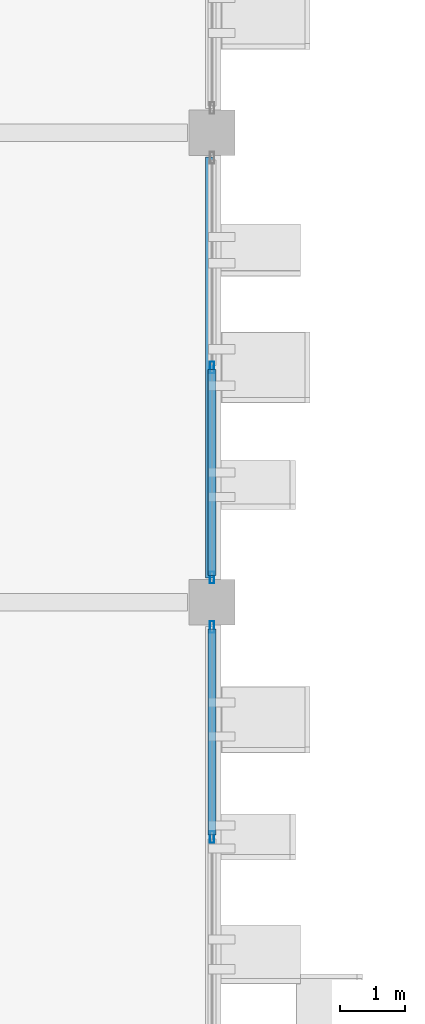
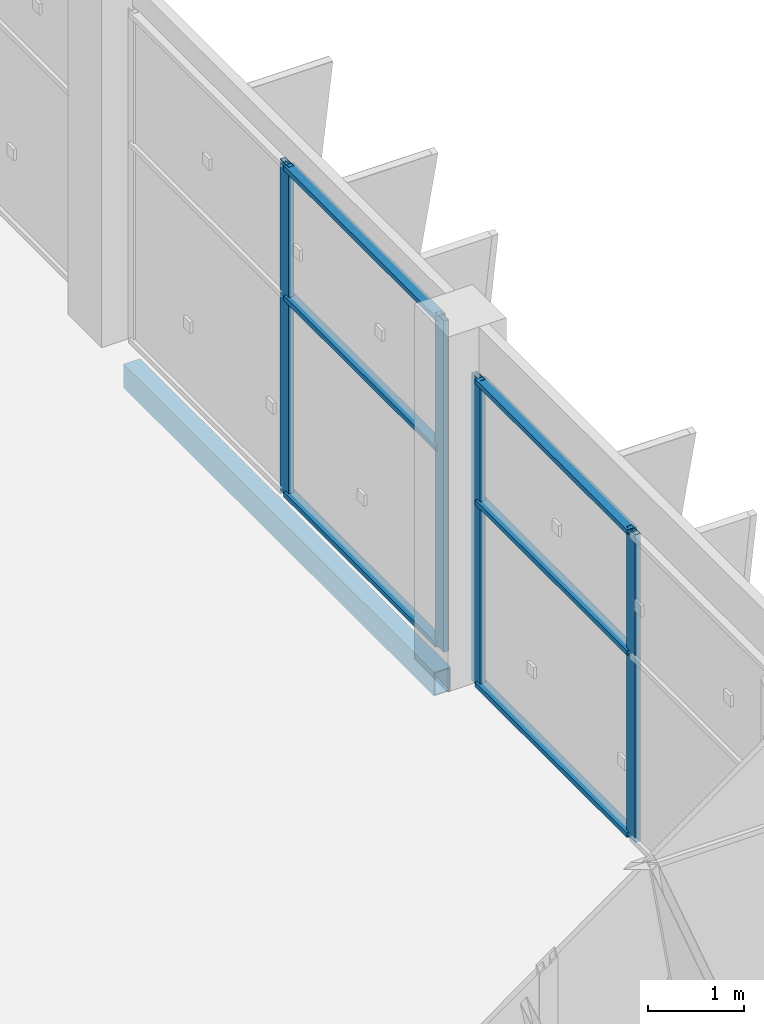
# One storey, part 47 of 151: 10 members, 1 beam, 2 elements without a shape of their own.
"""IFC4 building model written with IfcOpenShell, lengths in metres."""

from ifc_helpers import new_model, si_unit, direction, frame, origin, origin_2d, place, context, subcontext, project, spatial, hollow_rectangle, extrude, material, layer, layer_set, material_profile, profile_set, type_object, element, aggregate, save


model = new_model("IFC4")

# Units and contexts
model_context = context("Model", 3, precision=1e-05, world=origin(), true_north=direction((0.0, 1.0)))
body_context = subcontext(model_context, "Body", "Model", "MODEL_VIEW")
ifc_project = project(units=[si_unit("LENGTHUNIT", "METRE"), si_unit("AREAUNIT", "SQUARE_METRE"), si_unit("VOLUMEUNIT", "CUBIC_METRE"), si_unit("PLANEANGLEUNIT", "RADIAN"), si_unit("MASSUNIT", "GRAM", prefix="KILO")], contexts=[model_context])

# Site, building, storey
site_placement = place(None, origin())
site = spatial("IfcSite", under=ifc_project, at=site_placement, CompositionType="ELEMENT")
building_placement = place(site_placement, origin())
building = spatial("IfcBuilding", under=site, at=building_placement, Name="Celestram Park Convention Centre", CompositionType="ELEMENT")
storey_placement = place(building_placement, frame((0.0, 0.0, 10.800048828125)))
storey = spatial("IfcBuildingStorey", under=building, at=storey_placement, Name="L02", CompositionType="ELEMENT", Elevation=10.800048828125)

# Curtain wall, members
ifc_material_1 = material(Name="Anodised Aluminium Alloy 6063-T6", Category="aluminium")
ifc_layer_1 = layer(ifc_material_1, 0.179931640625)
ifc_layer_set_1 = layer_set([ifc_layer_1], Name="Anodised Aluminium Alloy 6063-T6")
curtain_wall_type_1 = type_object("IfcCurtainWallType", Name="ARC-CW-650X420", PredefinedType="NOTDEFINED", material=ifc_layer_set_1)
curtain_wall_1_placement = place(storey_placement, origin())
curtain_wall_1 = element("IfcCurtainWall", 1, at=curtain_wall_1_placement, inside=storey, type_object=curtain_wall_type_1, Name="Unitised curtain wall CU-L02-191", PredefinedType="NOTDEFINED")
ifc_material_profile_1 = material_profile(ifc_material_1, hollow_rectangle(XDim=0.06494140625, YDim=0.179931640625, WallThickness=0.00390625, at=origin_2d()), Name="ALU65X180X4")
ifc_profile_set_1 = profile_set([ifc_material_profile_1], Name="Anodised Aluminium Alloy 6063-T6")
member_type_1 = type_object("IfcMemberType", Name="ARC-CWM-150", PredefinedType="MULLION", material=ifc_profile_set_1)
member_1_placement = place(storey_placement, frame((144.0, 46.800048828125, 0.0), z_axis=(0.0, 0.0, 1.0), x_axis=(1.0, 0.0, 0.0)))
member_1 = element("IfcMember", 2, at=member_1_placement, type_object=member_type_1, Name="CW-65X42 mullion 2", PredefinedType="MULLION", context=body_context, shape_type="SweptSolid", body=[
    extrude(hollow_rectangle(XDim=0.06494140625, YDim=0.179931640625, WallThickness=0.00390625, at=origin_2d()), origin(), (0.0, 0.0, 1.0), 4.199951171875),
])
member_2_placement = place(storey_placement, frame((144.0, 43.58056640625, 0.0), z_axis=(0.0, 0.0, 1.0), x_axis=(1.0, 0.0, 0.0)))
member_2 = element("IfcMember", 3, at=member_2_placement, type_object=member_type_1, Name="CW-65X42 mullion 3", PredefinedType="MULLION", context=body_context, shape_type="SweptSolid", body=[
    extrude(hollow_rectangle(XDim=0.06494140625, YDim=0.179931640625, WallThickness=0.00390625, at=origin_2d()), origin(), (0.0, 0.0, 1.0), 4.199951171875),
])

ifc_layer_2 = layer(ifc_material_1, 0.179931640625)
ifc_layer_set_2 = layer_set([ifc_layer_2], Name="Anodised Aluminium Alloy 6063-T6")
curtain_wall_type_2 = type_object("IfcCurtainWallType", Name="ARC-CW-650X390", PredefinedType="NOTDEFINED", material=ifc_layer_set_2)
curtain_wall_2_placement = place(storey_placement, origin())
curtain_wall_2 = element("IfcCurtainWall", 4, at=curtain_wall_2_placement, inside=storey, type_object=curtain_wall_type_2, Name="Unitised curtain wall CU-L02-192", PredefinedType="NOTDEFINED")
member_3_placement = place(storey_placement, frame((144.0, 42.819580078125, 0.0), z_axis=(0.0, 0.0, 1.0), x_axis=(1.0, 0.0, 0.0)))
member_3 = element("IfcMember", 5, at=member_3_placement, type_object=member_type_1, Name="CW-65X39 mullion 1", PredefinedType="MULLION", context=body_context, shape_type="SweptSolid", body=[
    extrude(hollow_rectangle(XDim=0.06494140625, YDim=0.179931640625, WallThickness=0.00390625, at=origin_2d()), origin(), (0.0, 0.0, 1.0), 3.904052734375),
])
member_4_placement = place(storey_placement, frame((144.0, 39.60009765625, 0.0), z_axis=(0.0, 0.0, 1.0), x_axis=(1.0, 0.0, 0.0)))
member_4 = element("IfcMember", 6, at=member_4_placement, type_object=member_type_1, Name="CW-65X39 mullion 2", PredefinedType="MULLION", context=body_context, shape_type="SweptSolid", body=[
    extrude(hollow_rectangle(XDim=0.06494140625, YDim=0.179931640625, WallThickness=0.00390625, at=origin_2d()), origin(), (0.0, 0.0, 1.0), 3.904052734375),
])

# Member
ifc_material_profile_2 = material_profile(ifc_material_1, hollow_rectangle(XDim=0.1201171875, YDim=0.06005859375, WallThickness=0.0029296875, at=origin_2d()), Name="ALU120X60X3")
ifc_profile_set_2 = profile_set([ifc_material_profile_2], Name="Anodised Aluminium Alloy 6063-T6")
member_type_2 = type_object("IfcMemberType", Name="ARC-CWT-120", PredefinedType="USERDEFINED", material=ifc_profile_set_2)
member_5_placement = place(storey_placement, frame((144.0, 46.767578125, 0.030029296875), z_axis=(0.0, -1.0, 0.0), x_axis=(1.0, 0.0, 0.0)))
member_5 = element("IfcMember", 7, at=member_5_placement, type_object=member_type_2, Name="CW-65X42 transom 2.1", ObjectType="TRANSOM", PredefinedType="USERDEFINED", context=body_context, shape_type="SweptSolid", body=[
    extrude(hollow_rectangle(XDim=0.1201171875, YDim=0.06005859375, WallThickness=0.0029296875, at=origin_2d()), origin(), (0.0, 0.0, 1.0), 3.154541015625),
])

member_6_placement = place(storey_placement, frame((144.0, 46.767578125, 2.52001953125), z_axis=(0.0, -1.0, 0.0), x_axis=(1.0, 0.0, 0.0)))
member_6 = element("IfcMember", 8, at=member_6_placement, type_object=member_type_2, Name="CW-65X42 transom 2.2", ObjectType="TRANSOM", PredefinedType="USERDEFINED", context=body_context, shape_type="SweptSolid", body=[
    extrude(hollow_rectangle(XDim=0.1201171875, YDim=0.06005859375, WallThickness=0.0029296875, at=origin_2d()), origin(), (0.0, 0.0, 1.0), 3.154541015625),
])

member_7_placement = place(storey_placement, frame((144.0, 46.767578125, 4.169921875), z_axis=(0.0, -1.0, 0.0), x_axis=(1.0, 0.0, 0.0)))
member_7 = element("IfcMember", 9, at=member_7_placement, type_object=member_type_2, Name="CW-65X42 transom 2.3", ObjectType="TRANSOM", PredefinedType="USERDEFINED", context=body_context, shape_type="SweptSolid", body=[
    extrude(hollow_rectangle(XDim=0.1201171875, YDim=0.06005859375, WallThickness=0.0029296875, at=origin_2d()), origin(), (0.0, 0.0, 1.0), 3.154541015625),
])

aggregate(curtain_wall_1, [member_1, member_2, member_5, member_6, member_7])

member_8_placement = place(storey_placement, frame((144.0, 42.787109375, 0.030029296875), z_axis=(0.0, -1.0, 0.0), x_axis=(1.0, 0.0, 0.0)))
member_8 = element("IfcMember", 10, at=member_8_placement, type_object=member_type_2, Name="CW-65X39 transom 1.1", ObjectType="TRANSOM", PredefinedType="USERDEFINED", context=body_context, shape_type="SweptSolid", body=[
    extrude(hollow_rectangle(XDim=0.1201171875, YDim=0.06005859375, WallThickness=0.0029296875, at=origin_2d()), origin(), (0.0, 0.0, 1.0), 3.154541015625),
])

member_9_placement = place(storey_placement, frame((144.0, 42.787109375, 2.342041015625), z_axis=(0.0, -1.0, 0.0), x_axis=(1.0, 0.0, 0.0)))
member_9 = element("IfcMember", 11, at=member_9_placement, type_object=member_type_2, Name="CW-65X39 transom 1.2", ObjectType="TRANSOM", PredefinedType="USERDEFINED", context=body_context, shape_type="SweptSolid", body=[
    extrude(hollow_rectangle(XDim=0.1201171875, YDim=0.06005859375, WallThickness=0.0029296875, at=origin_2d()), origin(), (0.0, 0.0, 1.0), 3.154541015625),
])

member_10_placement = place(storey_placement, frame((144.0, 42.787109375, 3.8740234375), z_axis=(0.0, -1.0, 0.0), x_axis=(1.0, 0.0, 0.0)))
member_10 = element("IfcMember", 12, at=member_10_placement, type_object=member_type_2, Name="CW-65X39 transom 1.3", ObjectType="TRANSOM", PredefinedType="USERDEFINED", context=body_context, shape_type="SweptSolid", body=[
    extrude(hollow_rectangle(XDim=0.1201171875, YDim=0.06005859375, WallThickness=0.0029296875, at=origin_2d()), origin(), (0.0, 0.0, 1.0), 3.154541015625),
])

aggregate(curtain_wall_2, [member_3, member_4, member_8, member_9, member_10])

# Beam
ifc_material_2 = material(Name="Steel ASTM A500 Grade C", Category="steel")
ifc_material_profile_3 = material_profile(ifc_material_2, hollow_rectangle(XDim=0.199951171875, YDim=0.300048828125, WallThickness=0.011962890625, at=origin_2d()), Name="HSS300X200X12")
ifc_profile_set_3 = profile_set([ifc_material_profile_3], Name="Steel ASTM A500 Grade C")
beam_type = type_object("IfcBeamType", Name="STR-SPN-HSS300X200", PredefinedType="SPANDREL", material=ifc_profile_set_3)
beam_placement = place(storey_placement, frame((144.0, 43.572998046875, -0.429931640625), z_axis=(0.0, 1.0, 0.0), x_axis=(-1.0, 0.0, 0.0)))
element("IfcBeam", 13, at=beam_placement, inside=storey, type_object=beam_type, Name="Primary Y-girder BG-L02-0244", PredefinedType="SPANDREL", context=body_context, shape_type="SweptSolid", body=[
    extrude(hollow_rectangle(XDim=0.199951171875, YDim=0.300048828125, WallThickness=0.011962890625, at=origin_2d()), origin(), (0.0, 0.0, 1.0), 6.4541015625),
])

save(model, "model.ifc")
